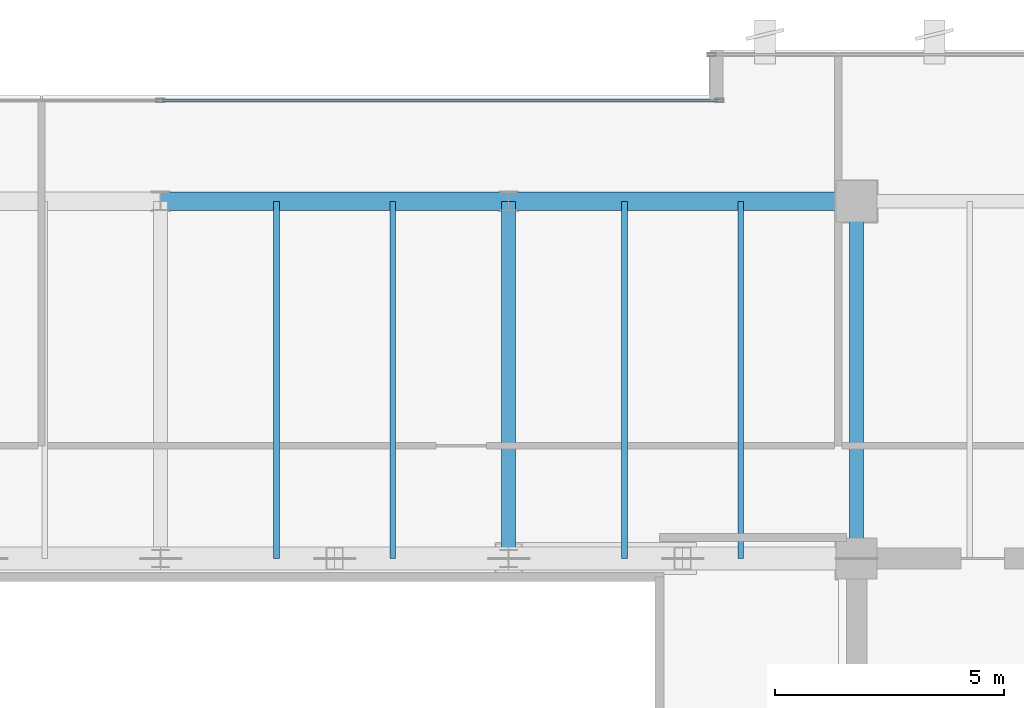
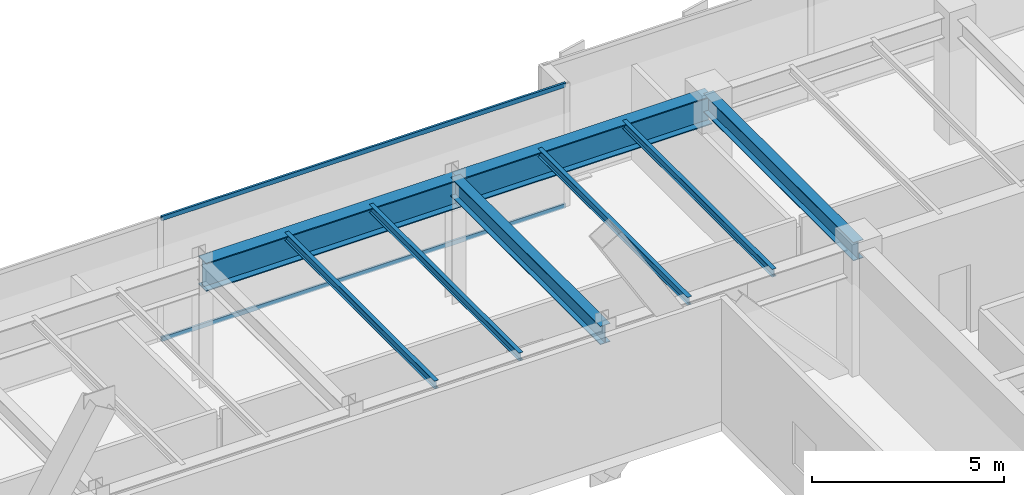
# One storey, part 22 of 32: 8 beams, 2 members, 1 element without a shape of its own.
"""IFC4 building model written with IfcOpenShell, lengths in metres."""

from ifc_helpers import new_model, si_unit, direction, frame, origin, origin_2d, place, context, subcontext, project, spatial, hollow_rectangle, i_section, extrude, source, transform, mapped, material, layer, layer_set, material_profile, profile_set, type_object, type_shapes, element, aggregate, save


model = new_model("IFC4")

# Units and contexts
model_context = context("Model", 3, precision=1e-05, world=origin(), true_north=direction((0.0, 1.0)))
body_context = subcontext(model_context, "Body", "Model", "MODEL_VIEW")
ifc_project = project(units=[si_unit("LENGTHUNIT", "METRE"), si_unit("AREAUNIT", "SQUARE_METRE"), si_unit("VOLUMEUNIT", "CUBIC_METRE"), si_unit("PLANEANGLEUNIT", "RADIAN"), si_unit("MASSUNIT", "GRAM", prefix="KILO")], contexts=[model_context])

# Site, building, storey
site_placement = place(None, origin())
site = spatial("IfcSite", under=ifc_project, at=site_placement, CompositionType="ELEMENT")
building_placement = place(site_placement, origin())
building = spatial("IfcBuilding", under=site, at=building_placement, Name="Haelvirn Gate Laboratories", CompositionType="ELEMENT")
storey_placement = place(building_placement, frame((0.0, 0.0, 306.0)))
storey = spatial("IfcBuildingStorey", under=building, at=storey_placement, Name="L73", CompositionType="ELEMENT", Elevation=306.0)

# Beams
ifc_material_1 = material(Name="Steel SM420", Category="steel")
ifc_material_profile_1 = material_profile(ifc_material_1, i_section(OverallWidth=0.39990234375, OverallDepth=0.89990234375, WebThickness=0.01904296875, FlangeThickness=0.031982421875, at=origin_2d()), Name="H-900x400x19x32")
ifc_profile_set_1 = profile_set([ifc_material_profile_1], Name="Steel SM420")
beam_type_1 = type_object("IfcBeamType", Name="BM-TG-900", PredefinedType="BEAM", material=ifc_profile_set_1)
shared_shape_1 = source(origin(), body_context, "Body", "SweptSolid", [
    extrude(i_section(OverallWidth=0.39990234375, OverallDepth=0.89990234375, WebThickness=0.01904296875, FlangeThickness=0.031982421875, at=origin_2d()), origin(), (0.0, 0.0, 1.0), 7.60009765625),
])
type_shapes(beam_type_1, [shared_shape_1])
for number, where, z_axis, x_axis, name in (
    (1, (37.39990234375, 41.60009765625, 3.449951171875), (1.0, 0.0, 0.0), (0.0, 1.0, 0.0), "L73 Primary Girder Y41.6 (37.4-45.0)"),
    (2, (45.0, 41.60009765625, 3.449951171875), (1.0, 0.0, 0.0), (0.0, 1.0, 0.0), "L73 Primary Girder Y41.6 (45.0-52.6)"),
):
    element("IfcBeam", number, at=place(storey_placement, frame(where, z_axis=z_axis, x_axis=x_axis)), inside=storey, type_object=beam_type_1, Name=name, PredefinedType="BEAM", context=body_context, shape_type="MappedRepresentation", body=[
        mapped(shared_shape_1, transform((0.0, 0.0, 0.0), scale=1.0)),
    ])
ifc_material_2 = material(Name="Steel SM355", Category="steel")
ifc_material_profile_2 = material_profile(ifc_material_2, i_section(OverallWidth=0.300048828125, OverallDepth=0.587890625, WebThickness=0.011962890625, FlangeThickness=0.02001953125, at=origin_2d()), Name="H-588x300x12x20")
ifc_profile_set_2 = profile_set([ifc_material_profile_2], Name="Steel SM355")
beam_type_2 = type_object("IfcBeamType", Name="BM-G-588", PredefinedType="BEAM", material=ifc_profile_set_2)
shared_shape_2 = source(origin(), body_context, "Body", "SweptSolid", [
    extrude(i_section(OverallWidth=0.300048828125, OverallDepth=0.587890625, WebThickness=0.011962890625, FlangeThickness=0.02001953125, at=origin_2d()), origin(), (0.0, 0.0, 1.0), 7.800048828125),
])
type_shapes(beam_type_2, [shared_shape_2])
for number, where, z_axis, x_axis, name in (
    (3, (45.0, 33.800048828125, 3.60595703125), (0.0, 1.0, 0.0), (-1.0, 0.0, 0.0), "L73 Frame Girder X45.0 (33.8-41.6)"),
    (4, (52.60009765625, 33.800048828125, 3.60595703125), (0.0, 1.0, 0.0), (-1.0, 0.0, 0.0), "L73 Frame Girder X52.6 (33.8-41.6)"),
):
    element("IfcBeam", number, at=place(storey_placement, frame(where, z_axis=z_axis, x_axis=x_axis)), inside=storey, type_object=beam_type_2, Name=name, PredefinedType="BEAM", context=body_context, shape_type="MappedRepresentation", body=[
        mapped(shared_shape_2, transform((0.0, 0.0, 0.0), scale=1.0)),
    ])
ifc_material_profile_3 = material_profile(ifc_material_2, i_section(OverallWidth=0.125, OverallDepth=0.25, WebThickness=0.006103515625, FlangeThickness=0.009033203125, at=origin_2d()), Name="H-250x125x6x9")
ifc_profile_set_3 = profile_set([ifc_material_profile_3], Name="Steel SM355")
beam_type_3 = type_object("IfcBeamType", Name="BM-J-250", PredefinedType="JOIST", material=ifc_profile_set_3)
shared_shape_3 = source(origin(), body_context, "Body", "SweptSolid", [
    extrude(i_section(OverallWidth=0.125, OverallDepth=0.25, WebThickness=0.006103515625, FlangeThickness=0.009033203125, at=origin_2d()), origin(), (0.0, 0.0, 1.0), 7.800048828125),
])
type_shapes(beam_type_3, [shared_shape_3])
for number, where, z_axis, x_axis, name in (
    (5, (39.929931640625, 33.800048828125, 3.77490234375), (0.0, 1.0, 0.0), (-1.0, 0.0, 0.0), "L73 Composite Lab Joist North X39.93"),
    (6, (42.469970703125, 33.800048828125, 3.77490234375), (0.0, 1.0, 0.0), (-1.0, 0.0, 0.0), "L73 Composite Lab Joist North X42.47"),
    (7, (47.530029296875, 33.800048828125, 3.77490234375), (0.0, 1.0, 0.0), (-1.0, 0.0, 0.0), "L73 Composite Lab Joist North X47.53"),
    (8, (50.070068359375, 33.800048828125, 3.77490234375), (0.0, 1.0, 0.0), (-1.0, 0.0, 0.0), "L73 Composite Lab Joist North X50.07"),
):
    element("IfcBeam", number, at=place(storey_placement, frame(where, z_axis=z_axis, x_axis=x_axis)), inside=storey, type_object=beam_type_3, Name=name, PredefinedType="JOIST", context=body_context, shape_type="MappedRepresentation", body=[
        mapped(shared_shape_3, transform((0.0, 0.0, 0.0), scale=1.0)),
    ])

# Curtain wall, members
ifc_material_3 = material(Name="Anodised bronze unitised aluminium & triple low-E glass", Category="aluminium")
ifc_layer = layer(ifc_material_3, 0.176025390625, Name="CW-SYS-4")
ifc_layer_set = layer_set([ifc_layer], Name="Anodised bronze unitised aluminium & triple low-E glass")
curtain_wall_type = type_object("IfcCurtainWallType", Name="CW-SYS-4", PredefinedType="NOTDEFINED", material=ifc_layer_set)
curtain_wall_placement = place(storey_placement, origin())
curtain_wall = element("IfcCurtainWall", 9, at=curtain_wall_placement, inside=storey, type_object=curtain_wall_type, Name="L73 Unitised Curtain Wall CW-L73-P0-E12-1", PredefinedType="NOTDEFINED")
ifc_material_4 = material(Name="Extruded aluminium 6063-T6 (anodised bronze)", Category="aluminium")
ifc_material_profile_4 = material_profile(ifc_material_4, hollow_rectangle(XDim=0.06494140625, YDim=0.139892578125, WallThickness=0.00390625, at=origin_2d()), Name="CWT-140x65x4")
ifc_profile_set_4 = profile_set([ifc_material_profile_4], Name="Extruded aluminium 6063-T6 (anodised bronze)")
member_type = type_object("IfcMemberType", Name="CWT-T140", PredefinedType="USERDEFINED", material=ifc_profile_set_4)
shared_shape_4 = source(origin(), body_context, "Body", "SweptSolid", [
    extrude(hollow_rectangle(XDim=0.06494140625, YDim=0.139892578125, WallThickness=0.00390625, at=origin_2d()), origin(), (0.0, 0.0, 1.0), 12.135009765625),
])
type_shapes(member_type, [shared_shape_4])
member_1_placement = place(storey_placement, frame((37.43505859375, 43.800048828125, 0.032470703125), z_axis=(1.0, 0.0, 0.0), x_axis=(0.0, 1.0, 0.0)))
member_1 = element("IfcMember", 10, at=member_1_placement, type_object=member_type, Name="CW4 transom 2.1", ObjectType="TRANSOM", PredefinedType="USERDEFINED", context=body_context, shape_type="MappedRepresentation", body=[
    mapped(shared_shape_4, transform((0.0, 0.0, 0.0), scale=1.0)),
])
member_2_placement = place(storey_placement, frame((37.43505859375, 43.800048828125, 3.867431640625), z_axis=(1.0, 0.0, 0.0), x_axis=(0.0, 1.0, 0.0)))
member_2 = element("IfcMember", 11, at=member_2_placement, type_object=member_type, Name="CW4 transom 2.2", ObjectType="TRANSOM", PredefinedType="USERDEFINED", context=body_context, shape_type="MappedRepresentation", body=[
    mapped(shared_shape_4, transform((0.0, 0.0, 0.0), scale=1.0)),
])
aggregate(curtain_wall, [member_1, member_2])

save(model, "model.ifc")
